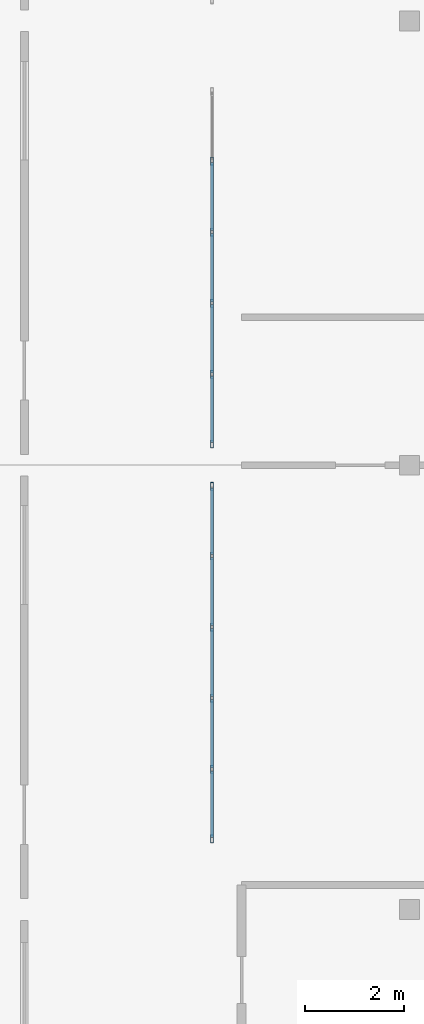
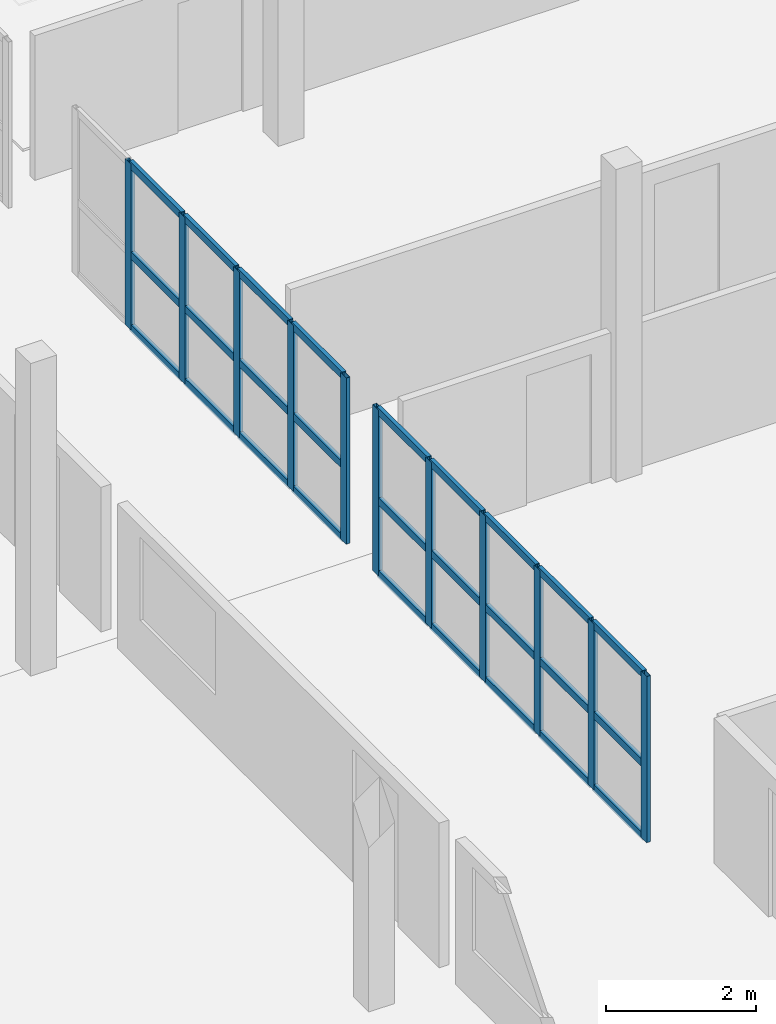
# One storey, part 10 of 30: 38 members, 2 elements without a shape of their own.
"""IFC4 building model written with IfcOpenShell, lengths in metres."""

from ifc_helpers import new_model, si_unit, direction, frame, origin, origin_2d, place, context, subcontext, project, spatial, hollow_rectangle, extrude, material, layer, layer_set, material_profile, profile_set, type_object, element, aggregate, save


model = new_model("IFC4")

# Units and contexts
model_context = context("Model", 3, precision=1e-05, world=origin(), true_north=direction((0.0, 1.0)))
body_context = subcontext(model_context, "Body", "Model", "MODEL_VIEW")
ifc_project = project(units=[si_unit("LENGTHUNIT", "METRE"), si_unit("AREAUNIT", "SQUARE_METRE"), si_unit("VOLUMEUNIT", "CUBIC_METRE"), si_unit("PLANEANGLEUNIT", "RADIAN"), si_unit("MASSUNIT", "GRAM", prefix="KILO")], contexts=[model_context])

# Site, building, storey
site_placement = place(None, origin())
site = spatial("IfcSite", under=ifc_project, at=site_placement, CompositionType="ELEMENT")
building_placement = place(site_placement, origin())
building = spatial("IfcBuilding", under=site, at=building_placement, Name="Ornek Quay Market", CompositionType="ELEMENT")
storey_placement = place(building_placement, frame((0.0, 0.0, 12.0)))
storey = spatial("IfcBuildingStorey", under=building, at=storey_placement, Name="L03", CompositionType="ELEMENT", Elevation=12.0)

# Curtain wall, members
ifc_material_1 = material(Name="Anodised bronze aluminium and triple low-e glass", Category="aluminium")
ifc_layer = layer(ifc_material_1, 0.139892578125, Name="Anodised bronze aluminium and triple low-e glass", Category="aluminium")
ifc_layer_set = layer_set([ifc_layer], Name="Anodised bronze aluminium and triple low-e glass")
curtain_wall_type = type_object("IfcCurtainWallType", Name="CW-GALLERY-INT", PredefinedType="USERDEFINED", material=ifc_layer_set)
curtain_wall_1_placement = place(storey_placement, origin())
curtain_wall_1 = element("IfcCurtainWall", 1, at=curtain_wall_1_placement, inside=storey, type_object=curtain_wall_type, Name="Curtain wall CW-171", ObjectType="CURTAIN WALL", PredefinedType="USERDEFINED")
ifc_material_2 = material(Name="Anodised aluminium 6063-T6", Category="aluminium")
ifc_material_profile_1 = material_profile(ifc_material_2, hollow_rectangle(XDim=0.06005859375, YDim=0.159912109375, WallThickness=0.00390625, at=origin_2d()), Name="CW-MUL-60x160", Category="aluminium")
ifc_profile_set_1 = profile_set([ifc_material_profile_1], Name="Anodised aluminium 6063-T6")
member_type_1 = type_object("IfcMemberType", Name="CW-MUL-60x160", PredefinedType="MULLION", material=ifc_profile_set_1)
member_1_placement = place(storey_placement, frame((167.0, 30.429931640625, 0.0), z_axis=(0.0, 0.0, 1.0), x_axis=(-1.0, 0.0, 0.0)))
member_1 = element("IfcMember", 2, at=member_1_placement, type_object=member_type_1, Name="CW-171 mullion 1", PredefinedType="MULLION", context=body_context, shape_type="SweptSolid", body=[
    extrude(hollow_rectangle(XDim=0.06005859375, YDim=0.159912109375, WallThickness=0.00390625, at=origin_2d()), origin(), (0.0, 0.0, 1.0), 2.699951171875),
])
member_2_placement = place(storey_placement, frame((167.0, 31.840087890625, 0.0), z_axis=(0.0, 0.0, 1.0), x_axis=(-1.0, 0.0, 0.0)))
member_2 = element("IfcMember", 3, at=member_2_placement, type_object=member_type_1, Name="CW-171 mullion 2", PredefinedType="MULLION", context=body_context, shape_type="SweptSolid", body=[
    extrude(hollow_rectangle(XDim=0.06005859375, YDim=0.159912109375, WallThickness=0.00390625, at=origin_2d()), origin(), (0.0, 0.0, 1.0), 2.699951171875),
])
member_3_placement = place(storey_placement, frame((167.0, 33.280029296875, 0.0), z_axis=(0.0, 0.0, 1.0), x_axis=(-1.0, 0.0, 0.0)))
member_3 = element("IfcMember", 4, at=member_3_placement, type_object=member_type_1, Name="CW-171 mullion 3", PredefinedType="MULLION", context=body_context, shape_type="SweptSolid", body=[
    extrude(hollow_rectangle(XDim=0.06005859375, YDim=0.159912109375, WallThickness=0.00390625, at=origin_2d()), origin(), (0.0, 0.0, 1.0), 2.699951171875),
])
member_4_placement = place(storey_placement, frame((167.0, 34.719970703125, 0.0), z_axis=(0.0, 0.0, 1.0), x_axis=(-1.0, 0.0, 0.0)))
member_4 = element("IfcMember", 5, at=member_4_placement, type_object=member_type_1, Name="CW-171 mullion 4", PredefinedType="MULLION", context=body_context, shape_type="SweptSolid", body=[
    extrude(hollow_rectangle(XDim=0.06005859375, YDim=0.159912109375, WallThickness=0.00390625, at=origin_2d()), origin(), (0.0, 0.0, 1.0), 2.699951171875),
])
member_5_placement = place(storey_placement, frame((167.0, 36.159912109375, 0.0), z_axis=(0.0, 0.0, 1.0), x_axis=(-1.0, 0.0, 0.0)))
member_5 = element("IfcMember", 6, at=member_5_placement, type_object=member_type_1, Name="CW-171 mullion 5", PredefinedType="MULLION", context=body_context, shape_type="SweptSolid", body=[
    extrude(hollow_rectangle(XDim=0.06005859375, YDim=0.159912109375, WallThickness=0.00390625, at=origin_2d()), origin(), (0.0, 0.0, 1.0), 2.699951171875),
])
member_6_placement = place(storey_placement, frame((167.0, 37.570068359375, 0.0), z_axis=(0.0, 0.0, 1.0), x_axis=(-1.0, 0.0, 0.0)))
member_6 = element("IfcMember", 7, at=member_6_placement, type_object=member_type_1, Name="CW-171 mullion 6", PredefinedType="MULLION", context=body_context, shape_type="SweptSolid", body=[
    extrude(hollow_rectangle(XDim=0.06005859375, YDim=0.159912109375, WallThickness=0.00390625, at=origin_2d()), origin(), (0.0, 0.0, 1.0), 2.699951171875),
])

curtain_wall_2_placement = place(storey_placement, origin())
curtain_wall_2 = element("IfcCurtainWall", 8, at=curtain_wall_2_placement, inside=storey, type_object=curtain_wall_type, Name="Curtain wall CW-172", ObjectType="CURTAIN WALL", PredefinedType="USERDEFINED")
member_7_placement = place(storey_placement, frame((167.0, 38.429931640625, 0.0), z_axis=(0.0, 0.0, 1.0), x_axis=(-1.0, 0.0, 0.0)))
member_7 = element("IfcMember", 9, at=member_7_placement, type_object=member_type_1, Name="CW-172 mullion 1", PredefinedType="MULLION", context=body_context, shape_type="SweptSolid", body=[
    extrude(hollow_rectangle(XDim=0.06005859375, YDim=0.159912109375, WallThickness=0.00390625, at=origin_2d()), origin(), (0.0, 0.0, 1.0), 2.699951171875),
])
member_8_placement = place(storey_placement, frame((167.0, 39.840087890625, 0.0), z_axis=(0.0, 0.0, 1.0), x_axis=(-1.0, 0.0, 0.0)))
member_8 = element("IfcMember", 10, at=member_8_placement, type_object=member_type_1, Name="CW-172 mullion 2", PredefinedType="MULLION", context=body_context, shape_type="SweptSolid", body=[
    extrude(hollow_rectangle(XDim=0.06005859375, YDim=0.159912109375, WallThickness=0.00390625, at=origin_2d()), origin(), (0.0, 0.0, 1.0), 2.699951171875),
])
member_9_placement = place(storey_placement, frame((167.0, 41.280029296875, 0.0), z_axis=(0.0, 0.0, 1.0), x_axis=(-1.0, 0.0, 0.0)))
member_9 = element("IfcMember", 11, at=member_9_placement, type_object=member_type_1, Name="CW-172 mullion 3", PredefinedType="MULLION", context=body_context, shape_type="SweptSolid", body=[
    extrude(hollow_rectangle(XDim=0.06005859375, YDim=0.159912109375, WallThickness=0.00390625, at=origin_2d()), origin(), (0.0, 0.0, 1.0), 2.699951171875),
])
member_10_placement = place(storey_placement, frame((167.0, 42.719970703125, 0.0), z_axis=(0.0, 0.0, 1.0), x_axis=(-1.0, 0.0, 0.0)))
member_10 = element("IfcMember", 12, at=member_10_placement, type_object=member_type_1, Name="CW-172 mullion 4", PredefinedType="MULLION", context=body_context, shape_type="SweptSolid", body=[
    extrude(hollow_rectangle(XDim=0.06005859375, YDim=0.159912109375, WallThickness=0.00390625, at=origin_2d()), origin(), (0.0, 0.0, 1.0), 2.699951171875),
])
member_11_placement = place(storey_placement, frame((167.0, 44.159912109375, 0.0), z_axis=(0.0, 0.0, 1.0), x_axis=(-1.0, 0.0, 0.0)))
member_11 = element("IfcMember", 13, at=member_11_placement, type_object=member_type_1, Name="CW-172 mullion 5", PredefinedType="MULLION", context=body_context, shape_type="SweptSolid", body=[
    extrude(hollow_rectangle(XDim=0.06005859375, YDim=0.159912109375, WallThickness=0.00390625, at=origin_2d()), origin(), (0.0, 0.0, 1.0), 2.699951171875),
])

# Member
ifc_material_profile_2 = material_profile(ifc_material_2, hollow_rectangle(XDim=0.06005859375, YDim=0.1201171875, WallThickness=0.00390625, at=origin_2d()), Name="CW-TRN-60x120", Category="aluminium")
ifc_profile_set_2 = profile_set([ifc_material_profile_2], Name="Anodised aluminium 6063-T6")
member_type_2 = type_object("IfcMemberType", Name="CW-TRN-60x120", PredefinedType="USERDEFINED", material=ifc_profile_set_2)
member_12_placement = place(storey_placement, frame((167.0, 30.4599609375, 0.030029296875), z_axis=(0.0, 1.0, 0.0), x_axis=(-1.0, 0.0, 0.0)))
member_12 = element("IfcMember", 14, at=member_12_placement, type_object=member_type_2, Name="CW-171 transom 1.1", ObjectType="TRANSOM", PredefinedType="USERDEFINED", context=body_context, shape_type="SweptSolid", body=[
    extrude(hollow_rectangle(XDim=0.06005859375, YDim=0.1201171875, WallThickness=0.00390625, at=origin_2d()), origin(), (0.0, 0.0, 1.0), 1.35009765625),
])

member_13_placement = place(storey_placement, frame((167.0, 30.4599609375, 1.215087890625), z_axis=(0.0, 1.0, 0.0), x_axis=(-1.0, 0.0, 0.0)))
member_13 = element("IfcMember", 15, at=member_13_placement, type_object=member_type_2, Name="CW-171 transom 1.2", ObjectType="TRANSOM", PredefinedType="USERDEFINED", context=body_context, shape_type="SweptSolid", body=[
    extrude(hollow_rectangle(XDim=0.06005859375, YDim=0.1201171875, WallThickness=0.00390625, at=origin_2d()), origin(), (0.0, 0.0, 1.0), 1.35009765625),
])

member_14_placement = place(storey_placement, frame((167.0, 30.4599609375, 2.669921875), z_axis=(0.0, 1.0, 0.0), x_axis=(-1.0, 0.0, 0.0)))
member_14 = element("IfcMember", 16, at=member_14_placement, type_object=member_type_2, Name="CW-171 transom 1.3", ObjectType="TRANSOM", PredefinedType="USERDEFINED", context=body_context, shape_type="SweptSolid", body=[
    extrude(hollow_rectangle(XDim=0.06005859375, YDim=0.1201171875, WallThickness=0.00390625, at=origin_2d()), origin(), (0.0, 0.0, 1.0), 1.35009765625),
])

member_15_placement = place(storey_placement, frame((167.0, 31.8701171875, 0.030029296875), z_axis=(0.0, 1.0, 0.0), x_axis=(-1.0, 0.0, 0.0)))
member_15 = element("IfcMember", 17, at=member_15_placement, type_object=member_type_2, Name="CW-171 transom 2.1", ObjectType="TRANSOM", PredefinedType="USERDEFINED", context=body_context, shape_type="SweptSolid", body=[
    extrude(hollow_rectangle(XDim=0.06005859375, YDim=0.1201171875, WallThickness=0.00390625, at=origin_2d()), origin(), (0.0, 0.0, 1.0), 1.3798828125),
])

member_16_placement = place(storey_placement, frame((167.0, 31.8701171875, 1.215087890625), z_axis=(0.0, 1.0, 0.0), x_axis=(-1.0, 0.0, 0.0)))
member_16 = element("IfcMember", 18, at=member_16_placement, type_object=member_type_2, Name="CW-171 transom 2.2", ObjectType="TRANSOM", PredefinedType="USERDEFINED", context=body_context, shape_type="SweptSolid", body=[
    extrude(hollow_rectangle(XDim=0.06005859375, YDim=0.1201171875, WallThickness=0.00390625, at=origin_2d()), origin(), (0.0, 0.0, 1.0), 1.3798828125),
])

member_17_placement = place(storey_placement, frame((167.0, 31.8701171875, 2.669921875), z_axis=(0.0, 1.0, 0.0), x_axis=(-1.0, 0.0, 0.0)))
member_17 = element("IfcMember", 19, at=member_17_placement, type_object=member_type_2, Name="CW-171 transom 2.3", ObjectType="TRANSOM", PredefinedType="USERDEFINED", context=body_context, shape_type="SweptSolid", body=[
    extrude(hollow_rectangle(XDim=0.06005859375, YDim=0.1201171875, WallThickness=0.00390625, at=origin_2d()), origin(), (0.0, 0.0, 1.0), 1.3798828125),
])

member_18_placement = place(storey_placement, frame((167.0, 33.31005859375, 0.030029296875), z_axis=(0.0, 1.0, 0.0), x_axis=(-1.0, 0.0, 0.0)))
member_18 = element("IfcMember", 20, at=member_18_placement, type_object=member_type_2, Name="CW-171 transom 3.1", ObjectType="TRANSOM", PredefinedType="USERDEFINED", context=body_context, shape_type="SweptSolid", body=[
    extrude(hollow_rectangle(XDim=0.06005859375, YDim=0.1201171875, WallThickness=0.00390625, at=origin_2d()), origin(), (0.0, 0.0, 1.0), 1.3798828125),
])

member_19_placement = place(storey_placement, frame((167.0, 33.31005859375, 1.215087890625), z_axis=(0.0, 1.0, 0.0), x_axis=(-1.0, 0.0, 0.0)))
member_19 = element("IfcMember", 21, at=member_19_placement, type_object=member_type_2, Name="CW-171 transom 3.2", ObjectType="TRANSOM", PredefinedType="USERDEFINED", context=body_context, shape_type="SweptSolid", body=[
    extrude(hollow_rectangle(XDim=0.06005859375, YDim=0.1201171875, WallThickness=0.00390625, at=origin_2d()), origin(), (0.0, 0.0, 1.0), 1.3798828125),
])

member_20_placement = place(storey_placement, frame((167.0, 33.31005859375, 2.669921875), z_axis=(0.0, 1.0, 0.0), x_axis=(-1.0, 0.0, 0.0)))
member_20 = element("IfcMember", 22, at=member_20_placement, type_object=member_type_2, Name="CW-171 transom 3.3", ObjectType="TRANSOM", PredefinedType="USERDEFINED", context=body_context, shape_type="SweptSolid", body=[
    extrude(hollow_rectangle(XDim=0.06005859375, YDim=0.1201171875, WallThickness=0.00390625, at=origin_2d()), origin(), (0.0, 0.0, 1.0), 1.3798828125),
])

member_21_placement = place(storey_placement, frame((167.0, 34.75, 0.030029296875), z_axis=(0.0, 1.0, 0.0), x_axis=(-1.0, 0.0, 0.0)))
member_21 = element("IfcMember", 23, at=member_21_placement, type_object=member_type_2, Name="CW-171 transom 4.1", ObjectType="TRANSOM", PredefinedType="USERDEFINED", context=body_context, shape_type="SweptSolid", body=[
    extrude(hollow_rectangle(XDim=0.06005859375, YDim=0.1201171875, WallThickness=0.00390625, at=origin_2d()), origin(), (0.0, 0.0, 1.0), 1.3798828125),
])

member_22_placement = place(storey_placement, frame((167.0, 34.75, 1.215087890625), z_axis=(0.0, 1.0, 0.0), x_axis=(-1.0, 0.0, 0.0)))
member_22 = element("IfcMember", 24, at=member_22_placement, type_object=member_type_2, Name="CW-171 transom 4.2", ObjectType="TRANSOM", PredefinedType="USERDEFINED", context=body_context, shape_type="SweptSolid", body=[
    extrude(hollow_rectangle(XDim=0.06005859375, YDim=0.1201171875, WallThickness=0.00390625, at=origin_2d()), origin(), (0.0, 0.0, 1.0), 1.3798828125),
])

member_23_placement = place(storey_placement, frame((167.0, 34.75, 2.669921875), z_axis=(0.0, 1.0, 0.0), x_axis=(-1.0, 0.0, 0.0)))
member_23 = element("IfcMember", 25, at=member_23_placement, type_object=member_type_2, Name="CW-171 transom 4.3", ObjectType="TRANSOM", PredefinedType="USERDEFINED", context=body_context, shape_type="SweptSolid", body=[
    extrude(hollow_rectangle(XDim=0.06005859375, YDim=0.1201171875, WallThickness=0.00390625, at=origin_2d()), origin(), (0.0, 0.0, 1.0), 1.3798828125),
])

member_24_placement = place(storey_placement, frame((167.0, 36.18994140625, 0.030029296875), z_axis=(0.0, 1.0, 0.0), x_axis=(-1.0, 0.0, 0.0)))
member_24 = element("IfcMember", 26, at=member_24_placement, type_object=member_type_2, Name="CW-171 transom 5.1", ObjectType="TRANSOM", PredefinedType="USERDEFINED", context=body_context, shape_type="SweptSolid", body=[
    extrude(hollow_rectangle(XDim=0.06005859375, YDim=0.1201171875, WallThickness=0.00390625, at=origin_2d()), origin(), (0.0, 0.0, 1.0), 1.35009765625),
])

member_25_placement = place(storey_placement, frame((167.0, 36.18994140625, 1.215087890625), z_axis=(0.0, 1.0, 0.0), x_axis=(-1.0, 0.0, 0.0)))
member_25 = element("IfcMember", 27, at=member_25_placement, type_object=member_type_2, Name="CW-171 transom 5.2", ObjectType="TRANSOM", PredefinedType="USERDEFINED", context=body_context, shape_type="SweptSolid", body=[
    extrude(hollow_rectangle(XDim=0.06005859375, YDim=0.1201171875, WallThickness=0.00390625, at=origin_2d()), origin(), (0.0, 0.0, 1.0), 1.35009765625),
])

member_26_placement = place(storey_placement, frame((167.0, 36.18994140625, 2.669921875), z_axis=(0.0, 1.0, 0.0), x_axis=(-1.0, 0.0, 0.0)))
member_26 = element("IfcMember", 28, at=member_26_placement, type_object=member_type_2, Name="CW-171 transom 5.3", ObjectType="TRANSOM", PredefinedType="USERDEFINED", context=body_context, shape_type="SweptSolid", body=[
    extrude(hollow_rectangle(XDim=0.06005859375, YDim=0.1201171875, WallThickness=0.00390625, at=origin_2d()), origin(), (0.0, 0.0, 1.0), 1.35009765625),
])

aggregate(curtain_wall_1, [member_1, member_2, member_3, member_4, member_5, member_6, member_12, member_13, member_14, member_15, member_16, member_17, member_18, member_19, member_20, member_21, member_22, member_23, member_24, member_25, member_26])

member_27_placement = place(storey_placement, frame((167.0, 38.4599609375, 0.030029296875), z_axis=(0.0, 1.0, 0.0), x_axis=(-1.0, 0.0, 0.0)))
member_27 = element("IfcMember", 29, at=member_27_placement, type_object=member_type_2, Name="CW-172 transom 1.1", ObjectType="TRANSOM", PredefinedType="USERDEFINED", context=body_context, shape_type="SweptSolid", body=[
    extrude(hollow_rectangle(XDim=0.06005859375, YDim=0.1201171875, WallThickness=0.00390625, at=origin_2d()), origin(), (0.0, 0.0, 1.0), 1.35009765625),
])

member_28_placement = place(storey_placement, frame((167.0, 38.4599609375, 1.215087890625), z_axis=(0.0, 1.0, 0.0), x_axis=(-1.0, 0.0, 0.0)))
member_28 = element("IfcMember", 30, at=member_28_placement, type_object=member_type_2, Name="CW-172 transom 1.2", ObjectType="TRANSOM", PredefinedType="USERDEFINED", context=body_context, shape_type="SweptSolid", body=[
    extrude(hollow_rectangle(XDim=0.06005859375, YDim=0.1201171875, WallThickness=0.00390625, at=origin_2d()), origin(), (0.0, 0.0, 1.0), 1.35009765625),
])

member_29_placement = place(storey_placement, frame((167.0, 38.4599609375, 2.669921875), z_axis=(0.0, 1.0, 0.0), x_axis=(-1.0, 0.0, 0.0)))
member_29 = element("IfcMember", 31, at=member_29_placement, type_object=member_type_2, Name="CW-172 transom 1.3", ObjectType="TRANSOM", PredefinedType="USERDEFINED", context=body_context, shape_type="SweptSolid", body=[
    extrude(hollow_rectangle(XDim=0.06005859375, YDim=0.1201171875, WallThickness=0.00390625, at=origin_2d()), origin(), (0.0, 0.0, 1.0), 1.35009765625),
])

member_30_placement = place(storey_placement, frame((167.0, 39.8701171875, 0.030029296875), z_axis=(0.0, 1.0, 0.0), x_axis=(-1.0, 0.0, 0.0)))
member_30 = element("IfcMember", 32, at=member_30_placement, type_object=member_type_2, Name="CW-172 transom 2.1", ObjectType="TRANSOM", PredefinedType="USERDEFINED", context=body_context, shape_type="SweptSolid", body=[
    extrude(hollow_rectangle(XDim=0.06005859375, YDim=0.1201171875, WallThickness=0.00390625, at=origin_2d()), origin(), (0.0, 0.0, 1.0), 1.3798828125),
])

member_31_placement = place(storey_placement, frame((167.0, 39.8701171875, 1.215087890625), z_axis=(0.0, 1.0, 0.0), x_axis=(-1.0, 0.0, 0.0)))
member_31 = element("IfcMember", 33, at=member_31_placement, type_object=member_type_2, Name="CW-172 transom 2.2", ObjectType="TRANSOM", PredefinedType="USERDEFINED", context=body_context, shape_type="SweptSolid", body=[
    extrude(hollow_rectangle(XDim=0.06005859375, YDim=0.1201171875, WallThickness=0.00390625, at=origin_2d()), origin(), (0.0, 0.0, 1.0), 1.3798828125),
])

member_32_placement = place(storey_placement, frame((167.0, 39.8701171875, 2.669921875), z_axis=(0.0, 1.0, 0.0), x_axis=(-1.0, 0.0, 0.0)))
member_32 = element("IfcMember", 34, at=member_32_placement, type_object=member_type_2, Name="CW-172 transom 2.3", ObjectType="TRANSOM", PredefinedType="USERDEFINED", context=body_context, shape_type="SweptSolid", body=[
    extrude(hollow_rectangle(XDim=0.06005859375, YDim=0.1201171875, WallThickness=0.00390625, at=origin_2d()), origin(), (0.0, 0.0, 1.0), 1.3798828125),
])

member_33_placement = place(storey_placement, frame((167.0, 41.31005859375, 0.030029296875), z_axis=(0.0, 1.0, 0.0), x_axis=(-1.0, 0.0, 0.0)))
member_33 = element("IfcMember", 35, at=member_33_placement, type_object=member_type_2, Name="CW-172 transom 3.1", ObjectType="TRANSOM", PredefinedType="USERDEFINED", context=body_context, shape_type="SweptSolid", body=[
    extrude(hollow_rectangle(XDim=0.06005859375, YDim=0.1201171875, WallThickness=0.00390625, at=origin_2d()), origin(), (0.0, 0.0, 1.0), 1.3798828125),
])

member_34_placement = place(storey_placement, frame((167.0, 41.31005859375, 1.215087890625), z_axis=(0.0, 1.0, 0.0), x_axis=(-1.0, 0.0, 0.0)))
member_34 = element("IfcMember", 36, at=member_34_placement, type_object=member_type_2, Name="CW-172 transom 3.2", ObjectType="TRANSOM", PredefinedType="USERDEFINED", context=body_context, shape_type="SweptSolid", body=[
    extrude(hollow_rectangle(XDim=0.06005859375, YDim=0.1201171875, WallThickness=0.00390625, at=origin_2d()), origin(), (0.0, 0.0, 1.0), 1.3798828125),
])

member_35_placement = place(storey_placement, frame((167.0, 41.31005859375, 2.669921875), z_axis=(0.0, 1.0, 0.0), x_axis=(-1.0, 0.0, 0.0)))
member_35 = element("IfcMember", 37, at=member_35_placement, type_object=member_type_2, Name="CW-172 transom 3.3", ObjectType="TRANSOM", PredefinedType="USERDEFINED", context=body_context, shape_type="SweptSolid", body=[
    extrude(hollow_rectangle(XDim=0.06005859375, YDim=0.1201171875, WallThickness=0.00390625, at=origin_2d()), origin(), (0.0, 0.0, 1.0), 1.3798828125),
])

member_36_placement = place(storey_placement, frame((167.0, 42.75, 0.030029296875), z_axis=(0.0, 1.0, 0.0), x_axis=(-1.0, 0.0, 0.0)))
member_36 = element("IfcMember", 38, at=member_36_placement, type_object=member_type_2, Name="CW-172 transom 4.1", ObjectType="TRANSOM", PredefinedType="USERDEFINED", context=body_context, shape_type="SweptSolid", body=[
    extrude(hollow_rectangle(XDim=0.06005859375, YDim=0.1201171875, WallThickness=0.00390625, at=origin_2d()), origin(), (0.0, 0.0, 1.0), 1.3798828125),
])

member_37_placement = place(storey_placement, frame((167.0, 42.75, 1.215087890625), z_axis=(0.0, 1.0, 0.0), x_axis=(-1.0, 0.0, 0.0)))
member_37 = element("IfcMember", 39, at=member_37_placement, type_object=member_type_2, Name="CW-172 transom 4.2", ObjectType="TRANSOM", PredefinedType="USERDEFINED", context=body_context, shape_type="SweptSolid", body=[
    extrude(hollow_rectangle(XDim=0.06005859375, YDim=0.1201171875, WallThickness=0.00390625, at=origin_2d()), origin(), (0.0, 0.0, 1.0), 1.3798828125),
])

member_38_placement = place(storey_placement, frame((167.0, 42.75, 2.669921875), z_axis=(0.0, 1.0, 0.0), x_axis=(-1.0, 0.0, 0.0)))
member_38 = element("IfcMember", 40, at=member_38_placement, type_object=member_type_2, Name="CW-172 transom 4.3", ObjectType="TRANSOM", PredefinedType="USERDEFINED", context=body_context, shape_type="SweptSolid", body=[
    extrude(hollow_rectangle(XDim=0.06005859375, YDim=0.1201171875, WallThickness=0.00390625, at=origin_2d()), origin(), (0.0, 0.0, 1.0), 1.3798828125),
])

aggregate(curtain_wall_2, [member_7, member_8, member_9, member_10, member_11, member_27, member_28, member_29, member_30, member_31, member_32, member_33, member_34, member_35, member_36, member_37, member_38])

save(model, "model.ifc")
